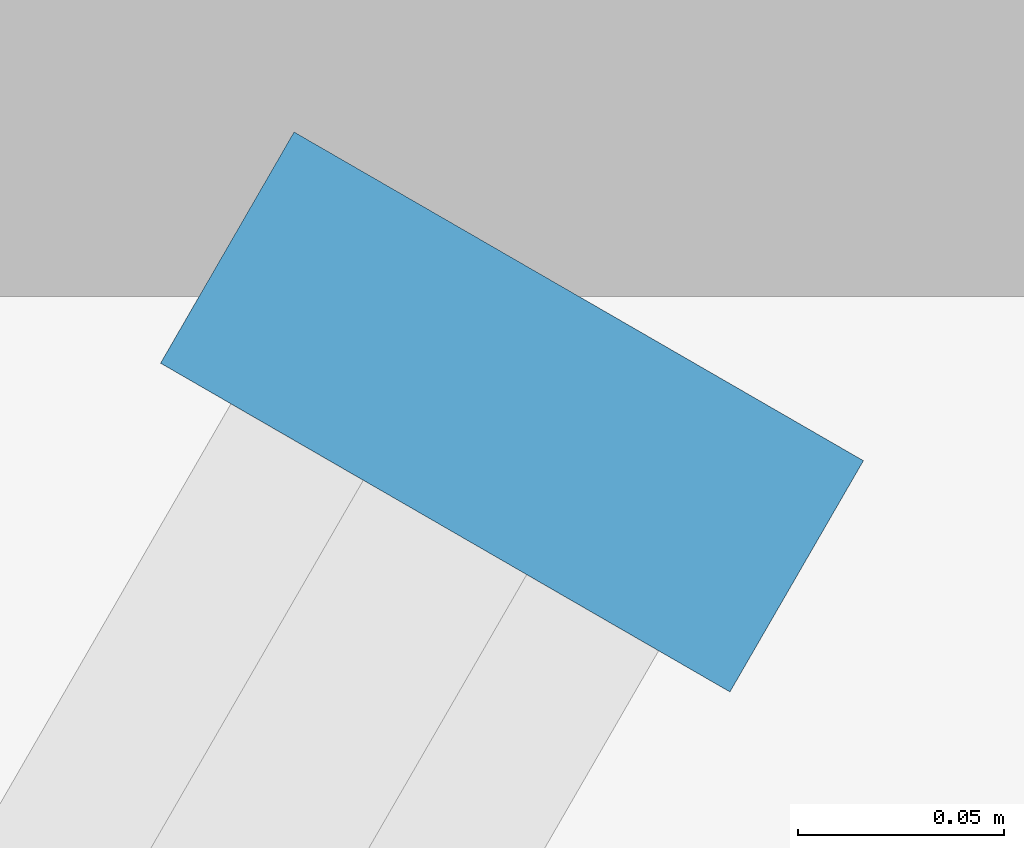
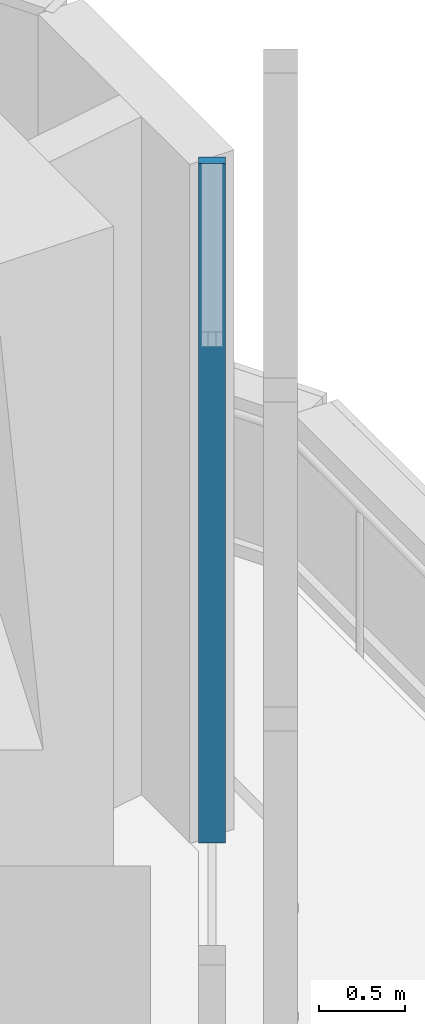
# One storey, part 185 of 228: 1 member, 1 element without a shape of its own.
"""IFC4 building model written with IfcOpenShell, lengths in metres."""

from ifc_helpers import new_model, si_unit, direction, frame, origin, origin_2d, place, context, subcontext, project, spatial, rectangle, extrude, material, material_profile, profile_set, type_object, element, aggregate, save


model = new_model("IFC4")

# Units and contexts
model_context = context("Model", 3, precision=1e-05, world=origin(), true_north=direction((0.0, 1.0)))
body_context = subcontext(model_context, "Body", "Model", "MODEL_VIEW")
ifc_project = project(units=[si_unit("LENGTHUNIT", "METRE"), si_unit("AREAUNIT", "SQUARE_METRE"), si_unit("VOLUMEUNIT", "CUBIC_METRE"), si_unit("PLANEANGLEUNIT", "RADIAN"), si_unit("MASSUNIT", "GRAM", prefix="KILO")], contexts=[model_context])

# Site, building, storey
site_placement = place(None, origin())
site = spatial("IfcSite", under=ifc_project, at=site_placement, CompositionType="ELEMENT")
building_placement = place(site_placement, origin())
building = spatial("IfcBuilding", under=site, at=building_placement, Name="Sandreach Pilgrim Tower", CompositionType="ELEMENT")
storey_placement = place(building_placement, frame((0.0, 0.0, 178.199951171875)))
storey = spatial("IfcBuildingStorey", under=building, at=storey_placement, Name="L44", CompositionType="ELEMENT", Elevation=178.199951171875)

# Curtain wall, member
ifc_material_1 = material(Name="Aluminium framed curtain wall", Category="aluminium")
curtain_wall_type = type_object("IfcCurtainWallType", Name="Upper hotel tower curtain wall", PredefinedType="NOTDEFINED", material=ifc_material_1)
curtain_wall_placement = place(storey_placement, origin())
curtain_wall = element("IfcCurtainWall", 1, at=curtain_wall_placement, inside=storey, type_object=curtain_wall_type, Name="CW-3 L44 SE", PredefinedType="NOTDEFINED")
ifc_material_2 = material(Name="Aluminium extrusion", Category="aluminium")
ifc_material_profile = material_profile(ifc_material_2, rectangle(XDim=0.06494140625, YDim=0.159912109375, at=origin_2d()), Name="CW-3M 65X160")
ifc_profile_set = profile_set([ifc_material_profile], Name="Aluminium extrusion")
member_type = type_object("IfcMemberType", Name="CW-3 mullion", PredefinedType="MULLION", material=ifc_profile_set)
member_placement = place(storey_placement, frame((27.00390625, 4.451904296875, 0.0), z_axis=(0.0, 0.0, 1.0), x_axis=(-0.5, -0.866025403784, 0.0)))
member = element("IfcMember", 2, at=member_placement, type_object=member_type, Name="CW-3 mullion 1", PredefinedType="MULLION", context=body_context, shape_type="SweptSolid", body=[
    extrude(rectangle(XDim=0.06494140625, YDim=0.159912109375, at=origin_2d()), origin(), (0.0, 0.0, 1.0), 4.840087890625),
])
aggregate(curtain_wall, [member])

save(model, "model.ifc")
